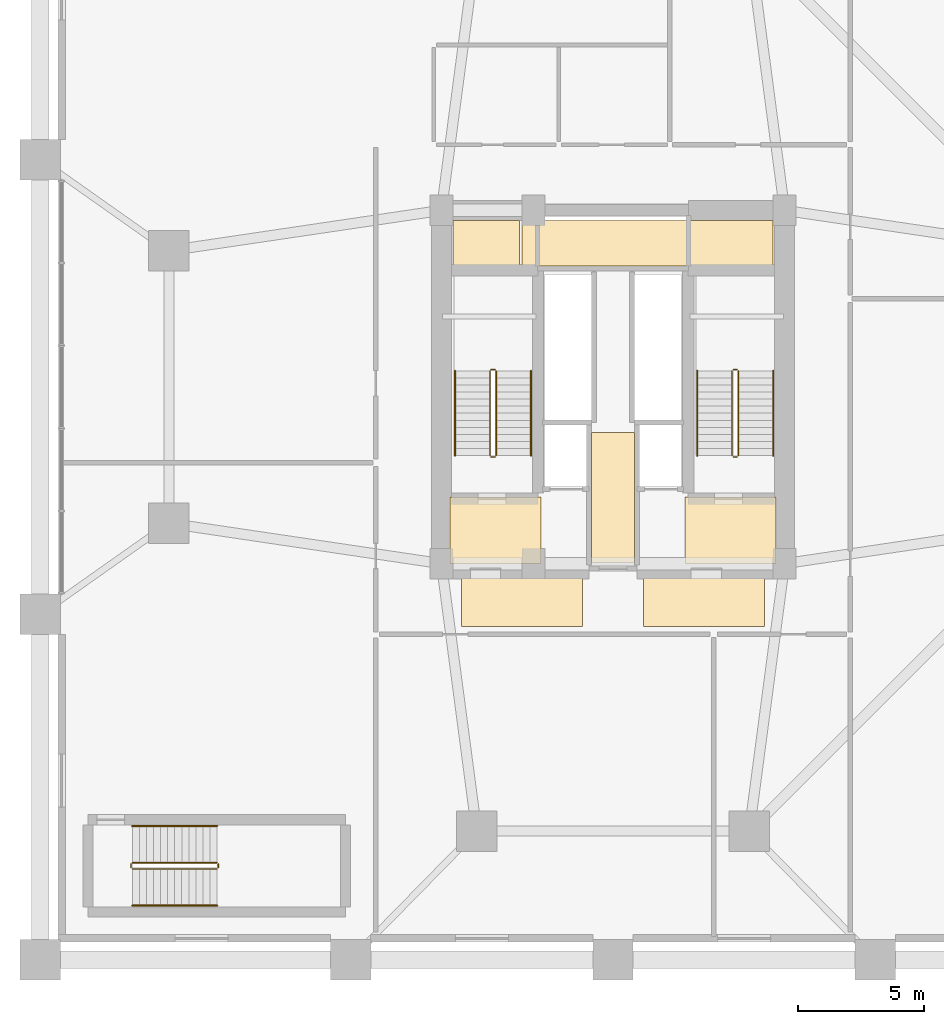
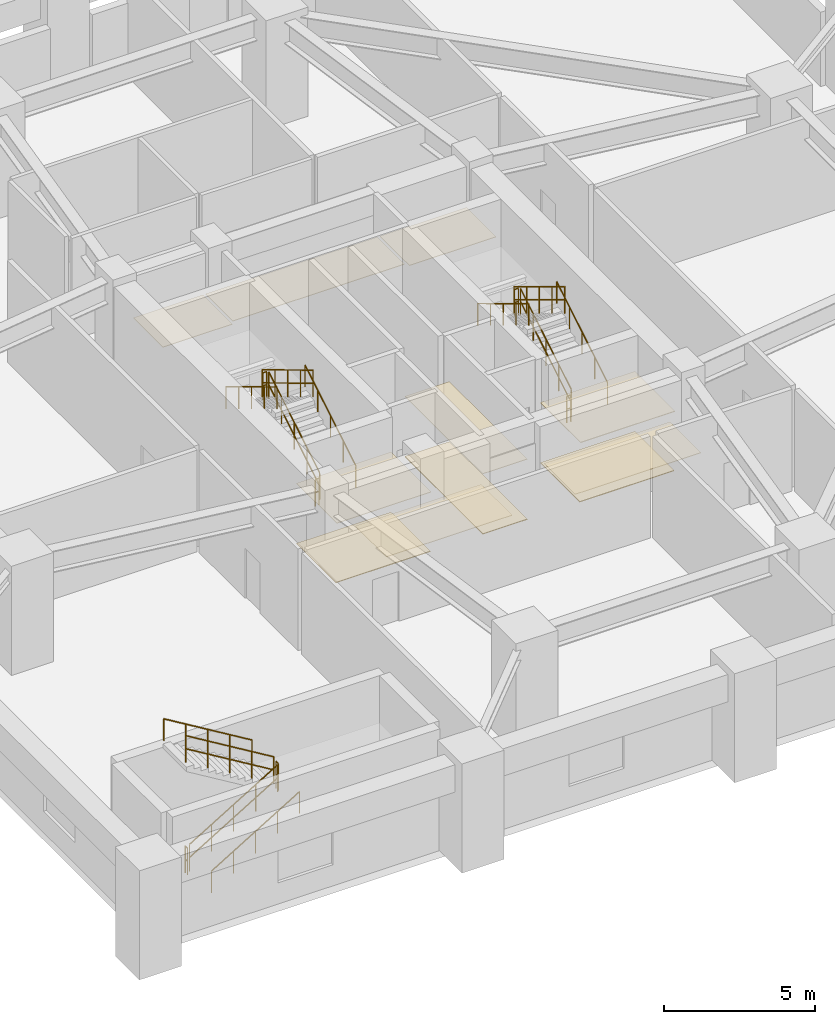
# One storey, part 13 of 16: 18 railings, 11 coverings.
"""IFC4 building model written with IfcOpenShell, lengths in metres."""

from ifc_helpers import new_model, si_unit, direction, frame, origin, origin_2d, place, context, subcontext, project, spatial, polyline, circle, outline, extrude, material, layer, layer_set, type_object, element, save


model = new_model("IFC4")

# Units and contexts
model_context = context("Model", 3, precision=1e-05, world=origin(), true_north=direction((0.0, 1.0)))
body_context = subcontext(model_context, "Body", "Model", "MODEL_VIEW")
ifc_project = project(units=[si_unit("LENGTHUNIT", "METRE"), si_unit("AREAUNIT", "SQUARE_METRE"), si_unit("VOLUMEUNIT", "CUBIC_METRE"), si_unit("PLANEANGLEUNIT", "RADIAN"), si_unit("MASSUNIT", "GRAM", prefix="KILO")], contexts=[model_context])

# Site, building, storey
site_placement = place(None, origin())
site = spatial("IfcSite", under=ifc_project, at=site_placement, CompositionType="ELEMENT")
building_placement = place(site_placement, origin())
building = spatial("IfcBuilding", under=site, at=building_placement, Name="Veraguas Prism Commons", CompositionType="ELEMENT")
storey_placement = place(building_placement, frame((0.0, 0.0, 9.60009765625)))
storey = spatial("IfcBuildingStorey", under=building, at=storey_placement, Name="L02", CompositionType="ELEMENT", Elevation=9.60009765625)

# Coverings
ifc_material_1 = material(Name="Acoustic gypsum board")
ifc_layer_1 = layer(ifc_material_1, 0.02490234375, Name="Perforated Acoustic Ceiling Tile 25")
ifc_layer_set_1 = layer_set([ifc_layer_1], Name="Acoustic gypsum board")
covering_type_1 = type_object("IfcCoveringType", Name="Perforated Acoustic Ceiling Tile 25", PredefinedType="USERDEFINED", material=ifc_layer_set_1)
covering_1_placement = place(storey_placement, frame((0.0, 0.0, 2.4248046875)))
element("IfcCovering", 1, at=covering_1_placement, inside=storey, type_object=covering_type_1, Name="East Lobby Acoustic Ceiling L02", ObjectType="ACOUSTIC CEILING", PredefinedType="USERDEFINED", context=body_context, shape_type="SweptSolid", body=[
    extrude(outline(polyline([(26.85009765625, 17.0), (30.449951171875, 17.0), (30.449951171875, 19.64990234375), (26.85009765625, 19.64990234375), (26.85009765625, 17.0)])), origin(), (0.0, 0.0, 1.0), 0.025146484375),
])
ifc_material_2 = material(Name="Terrazzo stone finish", Category="masonry")
ifc_layer_2 = layer(ifc_material_2, 0.030029296875, Name="Polished Terrazzo Floor Finish 30", Category="masonry")
ifc_layer_set_2 = layer_set([ifc_layer_2], Name="Terrazzo stone finish")
covering_type_2 = type_object("IfcCoveringType", Name="Polished Terrazzo Floor Finish 30", PredefinedType="FLOORING", material=ifc_layer_set_2)
covering_2_placement = place(storey_placement, origin())
element("IfcCovering", 2, at=covering_2_placement, inside=storey, type_object=covering_type_2, Name="Terrazzo Lobby Flooring L02", PredefinedType="FLOORING", context=body_context, shape_type="SweptSolid", body=[
    extrude(outline(polyline([(23.14990234375, 17.050048828125), (24.85009765625, 17.050048828125), (24.85009765625, 22.199951171875), (23.14990234375, 22.199951171875), (23.14990234375, 17.050048828125)])), origin(), (0.0, 0.0, 1.0), 0.02978515625),
])
covering_3_placement = place(storey_placement, origin())
element("IfcCovering", 3, at=covering_3_placement, inside=storey, type_object=covering_type_2, Name="West FF Lobby Terrazzo Flooring L02", PredefinedType="FLOORING", context=body_context, shape_type="SweptSolid", body=[
    extrude(outline(polyline([(17.550048828125, 17.050048828125), (21.14990234375, 17.050048828125), (21.14990234375, 19.64990234375), (17.550048828125, 19.64990234375), (17.550048828125, 17.050048828125)])), origin(), (0.0, 0.0, 1.0), 0.02978515625),
])
covering_4_placement = place(storey_placement, origin())
element("IfcCovering", 4, at=covering_4_placement, inside=storey, type_object=covering_type_2, Name="East FF Lobby Terrazzo Flooring L02", PredefinedType="FLOORING", context=body_context, shape_type="SweptSolid", body=[
    extrude(outline(polyline([(26.85009765625, 17.050048828125), (30.449951171875, 17.050048828125), (30.449951171875, 19.64990234375), (26.85009765625, 19.64990234375), (26.85009765625, 17.050048828125)])), origin(), (0.0, 0.0, 1.0), 0.02978515625),
])

# Railings
ifc_material_3 = material(Name="Stainless steel AISI 316", Category="steel")
railing_type_1 = type_object("IfcRailingType", Name="Stair and Ramp Stainless Handrail 900", PredefinedType="HANDRAIL", material=ifc_material_3)
railing_1_placement = place(storey_placement, frame((20.75, 21.280029296875, 0.169189453125)))
element("IfcRailing", 5, at=railing_1_placement, inside=storey, type_object=railing_type_1, Name="Stair Handrail ST-01 L02-1", PredefinedType="HANDRAIL", context=body_context, shape_type="SweptSolid", body=[
    extrude(circle(Radius=0.02392578125, at=origin_2d()), frame((0.0, 0.0, 0.8759765625), z_axis=(0.0, 0.855820338506, 0.51727318527), x_axis=(-1.0, 0.0, 0.0)), (0.0, 0.0, 1.0), 3.92578125),
    extrude(circle(Radius=0.02099609375, at=origin_2d()), origin(), (0.0, 0.0, 1.0), 0.851806640625),
    extrude(circle(Radius=0.02099609375, at=origin_2d()), frame((0.0, 0.83984375, 0.5078125)), (0.0, 0.0, 1.0), 0.851806640625),
    extrude(circle(Radius=0.02099609375, at=origin_2d()), frame((0.0, 1.679931640625, 1.015380859375)), (0.0, 0.0, 1.0), 0.851806640625),
    extrude(circle(Radius=0.02099609375, at=origin_2d()), frame((0.0, 2.52001953125, 1.52294921875)), (0.0, 0.0, 1.0), 0.851806640625),
    extrude(circle(Radius=0.02099609375, at=origin_2d()), frame((0.0, 3.35986328125, 2.03076171875)), (0.0, 0.0, 1.0), 0.851806640625),
])
railing_2_placement = place(storey_placement, frame((17.739990234375, 24.639892578125, 2.369140625)))
element("IfcRailing", 6, at=railing_2_placement, inside=storey, type_object=railing_type_1, Name="Stair Handrail ST-01 L02-2", PredefinedType="HANDRAIL", context=body_context, shape_type="SweptSolid", body=[
    extrude(circle(Radius=0.02392578125, at=origin_2d()), frame((0.0, 0.0, 0.8759765625), z_axis=(0.0, -0.855820338506, 0.51727318527), x_axis=(1.0, 0.0, 0.0)), (0.0, 0.0, 1.0), 3.92578125),
    extrude(circle(Radius=0.02099609375, at=origin_2d()), origin(), (0.0, 0.0, 1.0), 0.851806640625),
    extrude(circle(Radius=0.02099609375, at=origin_2d()), frame((0.0, -0.83984375, 0.5078125)), (0.0, 0.0, 1.0), 0.851806640625),
    extrude(circle(Radius=0.02099609375, at=origin_2d()), frame((0.0, -1.679931640625, 1.015380859375)), (0.0, 0.0, 1.0), 0.851806640625),
    extrude(circle(Radius=0.02099609375, at=origin_2d()), frame((0.0, -2.52001953125, 1.52294921875)), (0.0, 0.0, 1.0), 0.851806640625),
    extrude(circle(Radius=0.02099609375, at=origin_2d()), frame((0.0, -3.35986328125, 2.03076171875)), (0.0, 0.0, 1.0), 0.851806640625),
])
railing_3_placement = place(storey_placement, frame((30.35009765625, 21.280029296875, 0.169189453125)))
element("IfcRailing", 7, at=railing_3_placement, inside=storey, type_object=railing_type_1, Name="Stair Handrail ST-02 L02-1", PredefinedType="HANDRAIL", context=body_context, shape_type="SweptSolid", body=[
    extrude(circle(Radius=0.02392578125, at=origin_2d()), frame((0.0, 0.0, 0.8759765625), z_axis=(0.0, 0.855820338506, 0.51727318527), x_axis=(-1.0, 0.0, 0.0)), (0.0, 0.0, 1.0), 3.92578125),
    extrude(circle(Radius=0.02099609375, at=origin_2d()), origin(), (0.0, 0.0, 1.0), 0.851806640625),
    extrude(circle(Radius=0.02099609375, at=origin_2d()), frame((0.0, 0.83984375, 0.5078125)), (0.0, 0.0, 1.0), 0.851806640625),
    extrude(circle(Radius=0.02099609375, at=origin_2d()), frame((0.0, 1.679931640625, 1.015380859375)), (0.0, 0.0, 1.0), 0.851806640625),
    extrude(circle(Radius=0.02099609375, at=origin_2d()), frame((0.0, 2.52001953125, 1.52294921875)), (0.0, 0.0, 1.0), 0.851806640625),
    extrude(circle(Radius=0.02099609375, at=origin_2d()), frame((0.0, 3.35986328125, 2.03076171875)), (0.0, 0.0, 1.0), 0.851806640625),
])
railing_4_placement = place(storey_placement, frame((27.340087890625, 24.639892578125, 2.369140625)))
element("IfcRailing", 8, at=railing_4_placement, inside=storey, type_object=railing_type_1, Name="Stair Handrail ST-02 L02-2", PredefinedType="HANDRAIL", context=body_context, shape_type="SweptSolid", body=[
    extrude(circle(Radius=0.02392578125, at=origin_2d()), frame((0.0, 0.0, 0.8759765625), z_axis=(0.0, -0.855820338506, 0.51727318527), x_axis=(1.0, 0.0, 0.0)), (0.0, 0.0, 1.0), 3.92578125),
    extrude(circle(Radius=0.02099609375, at=origin_2d()), origin(), (0.0, 0.0, 1.0), 0.851806640625),
    extrude(circle(Radius=0.02099609375, at=origin_2d()), frame((0.0, -0.83984375, 0.5078125)), (0.0, 0.0, 1.0), 0.851806640625),
    extrude(circle(Radius=0.02099609375, at=origin_2d()), frame((0.0, -1.679931640625, 1.015380859375)), (0.0, 0.0, 1.0), 0.851806640625),
    extrude(circle(Radius=0.02099609375, at=origin_2d()), frame((0.0, -2.52001953125, 1.52294921875)), (0.0, 0.0, 1.0), 0.851806640625),
    extrude(circle(Radius=0.02099609375, at=origin_2d()), frame((0.0, -3.35986328125, 2.03076171875)), (0.0, 0.0, 1.0), 0.851806640625),
])
railing_5_placement = place(storey_placement, frame((4.949951171875, 3.449951171875, 0.169189453125)))
element("IfcRailing", 9, at=railing_5_placement, inside=storey, type_object=railing_type_1, Name="Stair Handrail ST-M1 L02-1", PredefinedType="HANDRAIL", context=body_context, shape_type="SweptSolid", body=[
    extrude(circle(Radius=0.02392578125, at=origin_2d()), frame((0.0, 0.0, 0.8759765625), z_axis=(0.855836976705, 0.0, 0.517245656632), x_axis=(0.0, 1.0, 0.0)), (0.0, 0.0, 1.0), 3.926025390625),
    extrude(circle(Radius=0.02099609375, at=origin_2d()), origin(), (0.0, 0.0, 1.0), 0.851806640625),
    extrude(circle(Radius=0.02099609375, at=origin_2d()), frame((0.840087890625, 0.0, 0.5078125)), (0.0, 0.0, 1.0), 0.851806640625),
    extrude(circle(Radius=0.02099609375, at=origin_2d()), frame((1.68017578125, 0.0, 1.015380859375)), (0.0, 0.0, 1.0), 0.851806640625),
    extrude(circle(Radius=0.02099609375, at=origin_2d()), frame((2.52001953125, 0.0, 1.52294921875)), (0.0, 0.0, 1.0), 0.851806640625),
    extrude(circle(Radius=0.02099609375, at=origin_2d()), frame((3.360107421875, 0.0, 2.03076171875)), (0.0, 0.0, 1.0), 0.851806640625),
])
railing_6_placement = place(storey_placement, frame((8.31005859375, 6.60009765625, 2.369140625)))
element("IfcRailing", 10, at=railing_6_placement, inside=storey, type_object=railing_type_1, Name="Stair Handrail ST-M1 L02-2", PredefinedType="HANDRAIL", context=body_context, shape_type="SweptSolid", body=[
    extrude(circle(Radius=0.02392578125, at=origin_2d()), frame((0.0, 0.0, 0.8759765625), z_axis=(-0.855836976705, 0.0, 0.517245656632), x_axis=(0.0, -1.0, 0.0)), (0.0, 0.0, 1.0), 3.926025390625),
    extrude(circle(Radius=0.02099609375, at=origin_2d()), origin(), (0.0, 0.0, 1.0), 0.851806640625),
    extrude(circle(Radius=0.02099609375, at=origin_2d()), frame((-0.840087890625, 0.0, 0.5078125)), (0.0, 0.0, 1.0), 0.851806640625),
    extrude(circle(Radius=0.02099609375, at=origin_2d()), frame((-1.68017578125, 0.0, 1.015380859375)), (0.0, 0.0, 1.0), 0.851806640625),
    extrude(circle(Radius=0.02099609375, at=origin_2d()), frame((-2.52001953125, 0.0, 1.52294921875)), (0.0, 0.0, 1.0), 0.851806640625),
    extrude(circle(Radius=0.02099609375, at=origin_2d()), frame((-3.360107421875, 0.0, 2.03076171875)), (0.0, 0.0, 1.0), 0.851806640625),
])
railing_type_2 = type_object("IfcRailingType", Name="Stairwell Safety Guardrail 1100", PredefinedType="GUARDRAIL", material=ifc_material_3)
railing_7_placement = place(storey_placement, frame((19.3701171875, 21.280029296875, 0.169189453125)))
element("IfcRailing", 11, at=railing_7_placement, inside=storey, type_object=railing_type_2, Name="Stair Guard ST-01 L02-1", PredefinedType="GUARDRAIL", context=body_context, shape_type="SweptSolid", body=[
    extrude(circle(Radius=0.02392578125, at=origin_2d()), frame((0.0, 0.0, 1.076171875), z_axis=(0.0, 0.855820338506, 0.51727318527), x_axis=(-1.0, 0.0, 0.0)), (0.0, 0.0, 1.0), 3.92578125),
    extrude(circle(Radius=0.02392578125, at=origin_2d()), frame((0.0, 0.0, 0.550048828125), z_axis=(0.0, 0.855820338506, 0.51727318527), x_axis=(-1.0, 0.0, 0.0)), (0.0, 0.0, 1.0), 3.92578125),
    extrude(circle(Radius=0.02099609375, at=origin_2d()), origin(), (0.0, 0.0, 1.0), 1.052001953125),
    extrude(circle(Radius=0.02099609375, at=origin_2d()), frame((0.0, 0.83984375, 0.5078125)), (0.0, 0.0, 1.0), 1.052001953125),
    extrude(circle(Radius=0.02099609375, at=origin_2d()), frame((0.0, 1.679931640625, 1.015380859375)), (0.0, 0.0, 1.0), 1.052001953125),
    extrude(circle(Radius=0.02099609375, at=origin_2d()), frame((0.0, 2.52001953125, 1.52294921875)), (0.0, 0.0, 1.0), 1.052001953125),
    extrude(circle(Radius=0.02099609375, at=origin_2d()), frame((0.0, 3.35986328125, 2.03076171875)), (0.0, 0.0, 1.0), 1.052001953125),
])
railing_8_placement = place(storey_placement, frame((19.320068359375, 24.68994140625, 2.199951171875)))
element("IfcRailing", 12, at=railing_8_placement, inside=storey, type_object=railing_type_2, Name="Stair Guard ST-01 L02-2", PredefinedType="GUARDRAIL", context=body_context, shape_type="SweptSolid", body=[
    extrude(circle(Radius=0.02392578125, at=origin_2d()), frame((0.0, 0.0, 1.076171875), z_axis=(-1.0, 0.0, 0.0), x_axis=(0.0, -1.0, 0.0)), (0.0, 0.0, 1.0), 0.150146484375),
    extrude(circle(Radius=0.02392578125, at=origin_2d()), frame((0.0, 0.0, 0.550048828125), z_axis=(-1.0, 0.0, 0.0), x_axis=(0.0, -1.0, 0.0)), (0.0, 0.0, 1.0), 0.150146484375),
    extrude(circle(Radius=0.02099609375, at=origin_2d()), origin(), (0.0, 0.0, 1.0), 1.052001953125),
    extrude(circle(Radius=0.02099609375, at=origin_2d()), frame((-0.150146484375, 0.0, 0.0)), (0.0, 0.0, 1.0), 1.052001953125),
])
railing_9_placement = place(storey_placement, frame((19.1201171875, 24.639892578125, 2.369140625)))
element("IfcRailing", 13, at=railing_9_placement, inside=storey, type_object=railing_type_2, Name="Stair Guard ST-01 L02-3", PredefinedType="GUARDRAIL", context=body_context, shape_type="SweptSolid", body=[
    extrude(circle(Radius=0.02392578125, at=origin_2d()), frame((0.0, 0.0, 1.076171875), z_axis=(0.0, -0.855820338506, 0.51727318527), x_axis=(1.0, 0.0, 0.0)), (0.0, 0.0, 1.0), 3.92578125),
    extrude(circle(Radius=0.02392578125, at=origin_2d()), frame((0.0, 0.0, 0.550048828125), z_axis=(0.0, -0.855820338506, 0.51727318527), x_axis=(1.0, 0.0, 0.0)), (0.0, 0.0, 1.0), 3.92578125),
    extrude(circle(Radius=0.02099609375, at=origin_2d()), origin(), (0.0, 0.0, 1.0), 1.052001953125),
    extrude(circle(Radius=0.02099609375, at=origin_2d()), frame((0.0, -0.83984375, 0.5078125)), (0.0, 0.0, 1.0), 1.052001953125),
    extrude(circle(Radius=0.02099609375, at=origin_2d()), frame((0.0, -1.679931640625, 1.015380859375)), (0.0, 0.0, 1.0), 1.052001953125),
    extrude(circle(Radius=0.02099609375, at=origin_2d()), frame((0.0, -2.52001953125, 1.52294921875)), (0.0, 0.0, 1.0), 1.052001953125),
    extrude(circle(Radius=0.02099609375, at=origin_2d()), frame((0.0, -3.35986328125, 2.03076171875)), (0.0, 0.0, 1.0), 1.052001953125),
])
railing_10_placement = place(storey_placement, frame((19.320068359375, 21.22998046875, 0.0)))
element("IfcRailing", 14, at=railing_10_placement, inside=storey, type_object=railing_type_2, Name="Stair Guard ST-01 L02-4", PredefinedType="GUARDRAIL", context=body_context, shape_type="SweptSolid", body=[
    extrude(circle(Radius=0.02392578125, at=origin_2d()), frame((0.0, 0.0, 1.076171875), z_axis=(-1.0, 0.0, 0.0), x_axis=(0.0, -1.0, 0.0)), (0.0, 0.0, 1.0), 0.150146484375),
    extrude(circle(Radius=0.02392578125, at=origin_2d()), frame((0.0, 0.0, 0.550048828125), z_axis=(-1.0, 0.0, 0.0), x_axis=(0.0, -1.0, 0.0)), (0.0, 0.0, 1.0), 0.150146484375),
    extrude(circle(Radius=0.02099609375, at=origin_2d()), origin(), (0.0, 0.0, 1.0), 1.052001953125),
    extrude(circle(Radius=0.02099609375, at=origin_2d()), frame((-0.150146484375, 0.0, 0.0)), (0.0, 0.0, 1.0), 1.052001953125),
])
railing_11_placement = place(storey_placement, frame((28.969970703125, 21.280029296875, 0.169189453125)))
element("IfcRailing", 15, at=railing_11_placement, inside=storey, type_object=railing_type_2, Name="Stair Guard ST-02 L02-1", PredefinedType="GUARDRAIL", context=body_context, shape_type="SweptSolid", body=[
    extrude(circle(Radius=0.02392578125, at=origin_2d()), frame((0.0, 0.0, 1.076171875), z_axis=(0.0, 0.855820338506, 0.51727318527), x_axis=(-1.0, 0.0, 0.0)), (0.0, 0.0, 1.0), 3.92578125),
    extrude(circle(Radius=0.02392578125, at=origin_2d()), frame((0.0, 0.0, 0.550048828125), z_axis=(0.0, 0.855820338506, 0.51727318527), x_axis=(-1.0, 0.0, 0.0)), (0.0, 0.0, 1.0), 3.92578125),
    extrude(circle(Radius=0.02099609375, at=origin_2d()), origin(), (0.0, 0.0, 1.0), 1.052001953125),
    extrude(circle(Radius=0.02099609375, at=origin_2d()), frame((0.0, 0.83984375, 0.5078125)), (0.0, 0.0, 1.0), 1.052001953125),
    extrude(circle(Radius=0.02099609375, at=origin_2d()), frame((0.0, 1.679931640625, 1.015380859375)), (0.0, 0.0, 1.0), 1.052001953125),
    extrude(circle(Radius=0.02099609375, at=origin_2d()), frame((0.0, 2.52001953125, 1.52294921875)), (0.0, 0.0, 1.0), 1.052001953125),
    extrude(circle(Radius=0.02099609375, at=origin_2d()), frame((0.0, 3.35986328125, 2.03076171875)), (0.0, 0.0, 1.0), 1.052001953125),
])
railing_12_placement = place(storey_placement, frame((28.919921875, 24.68994140625, 2.199951171875)))
element("IfcRailing", 16, at=railing_12_placement, inside=storey, type_object=railing_type_2, Name="Stair Guard ST-02 L02-2", PredefinedType="GUARDRAIL", context=body_context, shape_type="SweptSolid", body=[
    extrude(circle(Radius=0.02392578125, at=origin_2d()), frame((0.0, 0.0, 1.076171875), z_axis=(-1.0, 0.0, 0.0), x_axis=(0.0, -1.0, 0.0)), (0.0, 0.0, 1.0), 0.14990234375),
    extrude(circle(Radius=0.02392578125, at=origin_2d()), frame((0.0, 0.0, 0.550048828125), z_axis=(-1.0, 0.0, 0.0), x_axis=(0.0, -1.0, 0.0)), (0.0, 0.0, 1.0), 0.14990234375),
    extrude(circle(Radius=0.02099609375, at=origin_2d()), origin(), (0.0, 0.0, 1.0), 1.052001953125),
    extrude(circle(Radius=0.02099609375, at=origin_2d()), frame((-0.14990234375, 0.0, 0.0)), (0.0, 0.0, 1.0), 1.052001953125),
])
railing_13_placement = place(storey_placement, frame((28.719970703125, 24.639892578125, 2.369140625)))
element("IfcRailing", 17, at=railing_13_placement, inside=storey, type_object=railing_type_2, Name="Stair Guard ST-02 L02-3", PredefinedType="GUARDRAIL", context=body_context, shape_type="SweptSolid", body=[
    extrude(circle(Radius=0.02392578125, at=origin_2d()), frame((0.0, 0.0, 1.076171875), z_axis=(0.0, -0.855820338506, 0.51727318527), x_axis=(1.0, 0.0, 0.0)), (0.0, 0.0, 1.0), 3.92578125),
    extrude(circle(Radius=0.02392578125, at=origin_2d()), frame((0.0, 0.0, 0.550048828125), z_axis=(0.0, -0.855820338506, 0.51727318527), x_axis=(1.0, 0.0, 0.0)), (0.0, 0.0, 1.0), 3.92578125),
    extrude(circle(Radius=0.02099609375, at=origin_2d()), origin(), (0.0, 0.0, 1.0), 1.052001953125),
    extrude(circle(Radius=0.02099609375, at=origin_2d()), frame((0.0, -0.83984375, 0.5078125)), (0.0, 0.0, 1.0), 1.052001953125),
    extrude(circle(Radius=0.02099609375, at=origin_2d()), frame((0.0, -1.679931640625, 1.015380859375)), (0.0, 0.0, 1.0), 1.052001953125),
    extrude(circle(Radius=0.02099609375, at=origin_2d()), frame((0.0, -2.52001953125, 1.52294921875)), (0.0, 0.0, 1.0), 1.052001953125),
    extrude(circle(Radius=0.02099609375, at=origin_2d()), frame((0.0, -3.35986328125, 2.03076171875)), (0.0, 0.0, 1.0), 1.052001953125),
])
railing_14_placement = place(storey_placement, frame((28.919921875, 21.22998046875, 0.0)))
element("IfcRailing", 18, at=railing_14_placement, inside=storey, type_object=railing_type_2, Name="Stair Guard ST-02 L02-4", PredefinedType="GUARDRAIL", context=body_context, shape_type="SweptSolid", body=[
    extrude(circle(Radius=0.02392578125, at=origin_2d()), frame((0.0, 0.0, 1.076171875), z_axis=(-1.0, 0.0, 0.0), x_axis=(0.0, -1.0, 0.0)), (0.0, 0.0, 1.0), 0.14990234375),
    extrude(circle(Radius=0.02392578125, at=origin_2d()), frame((0.0, 0.0, 0.550048828125), z_axis=(-1.0, 0.0, 0.0), x_axis=(0.0, -1.0, 0.0)), (0.0, 0.0, 1.0), 0.14990234375),
    extrude(circle(Radius=0.02099609375, at=origin_2d()), origin(), (0.0, 0.0, 1.0), 1.052001953125),
    extrude(circle(Radius=0.02099609375, at=origin_2d()), frame((-0.14990234375, 0.0, 0.0)), (0.0, 0.0, 1.0), 1.052001953125),
])
railing_15_placement = place(storey_placement, frame((4.949951171875, 4.89990234375, 0.169189453125)))
element("IfcRailing", 19, at=railing_15_placement, inside=storey, type_object=railing_type_2, Name="Stair Guard ST-M1 L02-1", PredefinedType="GUARDRAIL", context=body_context, shape_type="SweptSolid", body=[
    extrude(circle(Radius=0.02392578125, at=origin_2d()), frame((0.0, 0.0, 1.076171875), z_axis=(0.855836976705, 0.0, 0.517245656632), x_axis=(0.0, 1.0, 0.0)), (0.0, 0.0, 1.0), 3.926025390625),
    extrude(circle(Radius=0.02392578125, at=origin_2d()), frame((0.0, 0.0, 0.550048828125), z_axis=(0.855836976705, 0.0, 0.517245656632), x_axis=(0.0, 1.0, 0.0)), (0.0, 0.0, 1.0), 3.926025390625),
    extrude(circle(Radius=0.02099609375, at=origin_2d()), origin(), (0.0, 0.0, 1.0), 1.052001953125),
    extrude(circle(Radius=0.02099609375, at=origin_2d()), frame((0.840087890625, 0.0, 0.5078125)), (0.0, 0.0, 1.0), 1.052001953125),
    extrude(circle(Radius=0.02099609375, at=origin_2d()), frame((1.68017578125, 0.0, 1.015380859375)), (0.0, 0.0, 1.0), 1.052001953125),
    extrude(circle(Radius=0.02099609375, at=origin_2d()), frame((2.52001953125, 0.0, 1.52294921875)), (0.0, 0.0, 1.0), 1.052001953125),
    extrude(circle(Radius=0.02099609375, at=origin_2d()), frame((3.360107421875, 0.0, 2.03076171875)), (0.0, 0.0, 1.0), 1.052001953125),
])
railing_16_placement = place(storey_placement, frame((8.360107421875, 4.949951171875, 2.199951171875)))
element("IfcRailing", 20, at=railing_16_placement, inside=storey, type_object=railing_type_2, Name="Stair Guard ST-M1 L02-2", PredefinedType="GUARDRAIL", context=body_context, shape_type="SweptSolid", body=[
    extrude(circle(Radius=0.02392578125, at=origin_2d()), frame((0.0, 0.0, 1.076171875), z_axis=(0.0, 1.0, 0.0), x_axis=(-1.0, 0.0, 0.0)), (0.0, 0.0, 1.0), 0.150146484375),
    extrude(circle(Radius=0.02392578125, at=origin_2d()), frame((0.0, 0.0, 0.550048828125), z_axis=(0.0, 1.0, 0.0), x_axis=(-1.0, 0.0, 0.0)), (0.0, 0.0, 1.0), 0.150146484375),
    extrude(circle(Radius=0.02099609375, at=origin_2d()), origin(), (0.0, 0.0, 1.0), 1.052001953125),
    extrude(circle(Radius=0.02099609375, at=origin_2d()), frame((0.0, 0.150146484375, 0.0)), (0.0, 0.0, 1.0), 1.052001953125),
])
railing_17_placement = place(storey_placement, frame((8.31005859375, 5.14990234375, 2.369140625)))
element("IfcRailing", 21, at=railing_17_placement, inside=storey, type_object=railing_type_2, Name="Stair Guard ST-M1 L02-3", PredefinedType="GUARDRAIL", context=body_context, shape_type="SweptSolid", body=[
    extrude(circle(Radius=0.02392578125, at=origin_2d()), frame((0.0, 0.0, 1.076171875), z_axis=(-0.855836976705, 0.0, 0.517245656632), x_axis=(0.0, -1.0, 0.0)), (0.0, 0.0, 1.0), 3.926025390625),
    extrude(circle(Radius=0.02392578125, at=origin_2d()), frame((0.0, 0.0, 0.550048828125), z_axis=(-0.855836976705, 0.0, 0.517245656632), x_axis=(0.0, -1.0, 0.0)), (0.0, 0.0, 1.0), 3.926025390625),
    extrude(circle(Radius=0.02099609375, at=origin_2d()), origin(), (0.0, 0.0, 1.0), 1.052001953125),
    extrude(circle(Radius=0.02099609375, at=origin_2d()), frame((-0.840087890625, 0.0, 0.5078125)), (0.0, 0.0, 1.0), 1.052001953125),
    extrude(circle(Radius=0.02099609375, at=origin_2d()), frame((-1.68017578125, 0.0, 1.015380859375)), (0.0, 0.0, 1.0), 1.052001953125),
    extrude(circle(Radius=0.02099609375, at=origin_2d()), frame((-2.52001953125, 0.0, 1.52294921875)), (0.0, 0.0, 1.0), 1.052001953125),
    extrude(circle(Radius=0.02099609375, at=origin_2d()), frame((-3.360107421875, 0.0, 2.03076171875)), (0.0, 0.0, 1.0), 1.052001953125),
])
railing_18_placement = place(storey_placement, frame((4.89990234375, 4.949951171875, 0.0)))
element("IfcRailing", 22, at=railing_18_placement, inside=storey, type_object=railing_type_2, Name="Stair Guard ST-M1 L02-4", PredefinedType="GUARDRAIL", context=body_context, shape_type="SweptSolid", body=[
    extrude(circle(Radius=0.02392578125, at=origin_2d()), frame((0.0, 0.0, 1.076171875), z_axis=(0.0, 1.0, 0.0), x_axis=(-1.0, 0.0, 0.0)), (0.0, 0.0, 1.0), 0.150146484375),
    extrude(circle(Radius=0.02392578125, at=origin_2d()), frame((0.0, 0.0, 0.550048828125), z_axis=(0.0, 1.0, 0.0), x_axis=(-1.0, 0.0, 0.0)), (0.0, 0.0, 1.0), 0.150146484375),
    extrude(circle(Radius=0.02099609375, at=origin_2d()), origin(), (0.0, 0.0, 1.0), 1.052001953125),
    extrude(circle(Radius=0.02099609375, at=origin_2d()), frame((0.0, 0.150146484375, 0.0)), (0.0, 0.0, 1.0), 1.052001953125),
])

# Coverings
ifc_layer_3 = layer(ifc_material_1, 0.02001953125, Name="Suspended Gypsum Ceiling 20")
ifc_layer_set_3 = layer_set([ifc_layer_3], Name="Acoustic gypsum board")
covering_type_3 = type_object("IfcCoveringType", Name="Suspended Gypsum Ceiling 20", PredefinedType="CEILING", material=ifc_layer_set_3)
covering_5_placement = place(storey_placement, frame((0.0, 0.0, 2.429931640625)))
element("IfcCovering", 23, at=covering_5_placement, inside=storey, type_object=covering_type_3, Name="West Lobby Suspended Gypsum Ceiling L02", PredefinedType="CEILING", context=body_context, shape_type="SweptSolid", body=[
    extrude(outline(polyline([(17.550048828125, 17.0), (21.14990234375, 17.0), (21.14990234375, 19.64990234375), (17.550048828125, 19.64990234375), (17.550048828125, 17.0)])), origin(), (0.0, 0.0, 1.0), 0.02001953125),
])
covering_6_placement = place(storey_placement, frame((0.0, 0.0, 2.429931640625)))
element("IfcCovering", 24, at=covering_6_placement, inside=storey, type_object=covering_type_3, Name="Core Lobby Acoustic Ceiling L02-1", PredefinedType="CEILING", context=body_context, shape_type="SweptSolid", body=[
    extrude(outline(polyline([(18.0, 14.5), (22.800048828125, 14.5), (22.800048828125, 16.550048828125), (18.0, 16.550048828125), (18.0, 14.5)])), origin(), (0.0, 0.0, 1.0), 0.02001953125),
])
covering_7_placement = place(storey_placement, frame((0.0, 0.0, 2.429931640625)))
element("IfcCovering", 25, at=covering_7_placement, inside=storey, type_object=covering_type_3, Name="Core Lobby Acoustic Ceiling L02-2", PredefinedType="CEILING", context=body_context, shape_type="SweptSolid", body=[
    extrude(outline(polyline([(25.199951171875, 14.5), (30.0, 14.5), (30.0, 16.550048828125), (25.199951171875, 16.550048828125), (25.199951171875, 14.5)])), origin(), (0.0, 0.0, 1.0), 0.02001953125),
])
covering_8_placement = place(storey_placement, frame((0.0, 0.0, 2.429931640625)))
element("IfcCovering", 26, at=covering_8_placement, inside=storey, type_object=covering_type_3, Name="Core Lobby Acoustic Ceiling L02-3", PredefinedType="CEILING", context=body_context, shape_type="SweptSolid", body=[
    extrude(outline(polyline([(23.14990234375, 17.050048828125), (24.85009765625, 17.050048828125), (24.85009765625, 22.199951171875), (23.14990234375, 22.199951171875), (23.14990234375, 17.050048828125)])), origin(), (0.0, 0.0, 1.0), 0.02001953125),
])
covering_9_placement = place(storey_placement, frame((0.0, 0.0, 2.429931640625)))
element("IfcCovering", 27, at=covering_9_placement, inside=storey, type_object=covering_type_3, Name="Core Lobby Acoustic Ceiling L02-4", PredefinedType="CEILING", context=body_context, shape_type="SweptSolid", body=[
    extrude(outline(polyline([(17.64990234375, 28.64990234375), (20.300048828125, 28.64990234375), (20.300048828125, 30.60009765625), (17.64990234375, 30.60009765625), (17.64990234375, 28.64990234375)])), origin(), (0.0, 0.0, 1.0), 0.02001953125),
])
covering_10_placement = place(storey_placement, frame((0.0, 0.0, 2.429931640625)))
element("IfcCovering", 28, at=covering_10_placement, inside=storey, type_object=covering_type_3, Name="Core Lobby Acoustic Ceiling L02-5", PredefinedType="CEILING", context=body_context, shape_type="SweptSolid", body=[
    extrude(outline(polyline([(27.050048828125, 28.64990234375), (30.35009765625, 28.64990234375), (30.35009765625, 30.60009765625), (27.050048828125, 30.60009765625), (27.050048828125, 28.64990234375)])), origin(), (0.0, 0.0, 1.0), 0.02001953125),
])
covering_11_placement = place(storey_placement, frame((0.0, 0.0, 2.429931640625)))
element("IfcCovering", 29, at=covering_11_placement, inside=storey, type_object=covering_type_3, Name="Core Lobby Acoustic Ceiling L02-6", PredefinedType="CEILING", context=body_context, shape_type="SweptSolid", body=[
    extrude(outline(polyline([(20.39990234375, 28.800048828125), (26.949951171875, 28.800048828125), (26.949951171875, 30.60009765625), (20.39990234375, 30.60009765625), (20.39990234375, 28.800048828125)])), origin(), (0.0, 0.0, 1.0), 0.02001953125),
])

save(model, "model.ifc")
